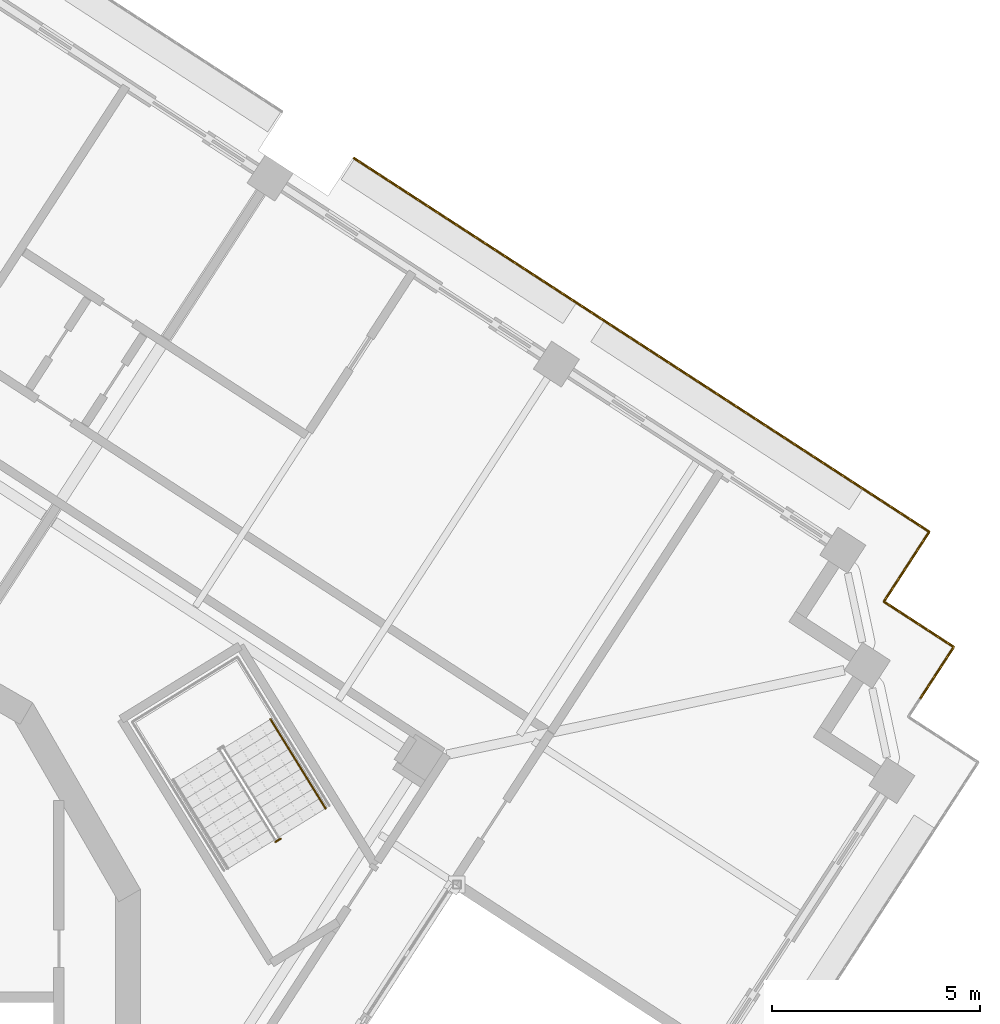
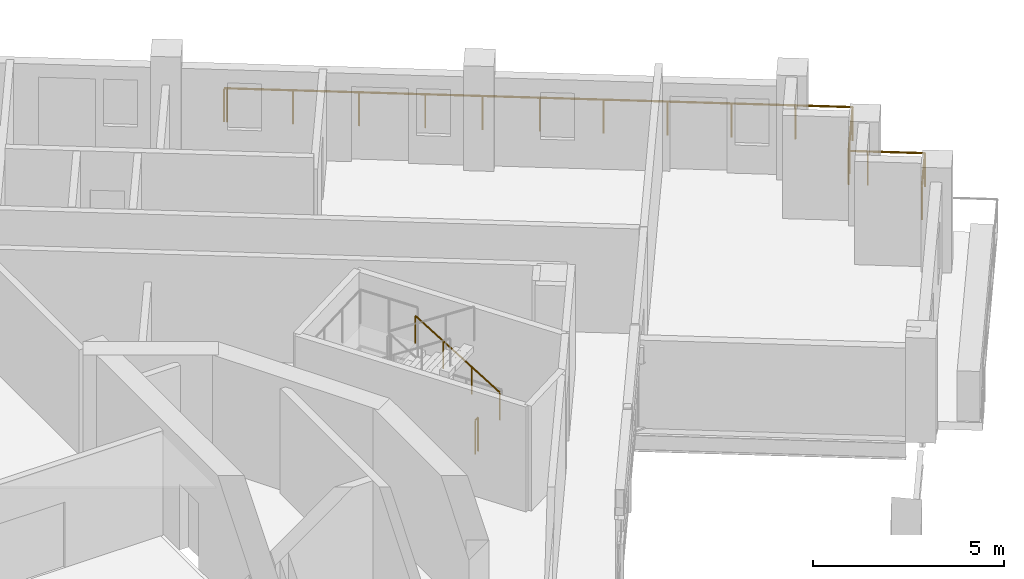
# One storey, part 16 of 17: 3 railings.
"""IFC4 building model written with IfcOpenShell, lengths in metres."""

import ifcopenshell
import ifcopenshell.guid

model = None  # the IFC model being written
_history = None  # IfcOwnerHistory: only IFC2X3 demands one
_inside = {}  # id of a spatial element -> (the spatial element, [elements in it])
_under = {}  # id of a project, library or spatial element -> (it, [spatial elements below it])
_declared = {}  # id of a project -> (the project, [libraries it declares])
_typed = {}  # id of a type object -> (the type object, [elements of that type])
_made_of = {}  # id of a material, layer set ... -> (it, [elements and type objects made of it])


def new_model(schema):
    """Start an empty IFC model of exactly this schema.

    Asked for "IFC4X3", IfcOpenShell would pick the latest addendum, in which some entities
    have other attributes; the version numbers below select the first issue.
    IFC2X3 requires an IfcOwnerHistory on every rooted entity: one is made here for all.
    """
    global model, _history
    if schema == "IFC4X3":
        model = ifcopenshell.file(schema_version=(4, 3, 0, 0))
    else:
        model = ifcopenshell.file(schema=schema)
    _inside.clear()
    _under.clear()
    _declared.clear()
    _typed.clear()
    _made_of.clear()
    _history = None
    if model.schema == "IFC2X3":
        org = make("IfcOrganization", Name="unknown")
        user = make(
            "IfcPersonAndOrganization",
            ThePerson=make("IfcPerson", FamilyName="unknown"),
            TheOrganization=org,
        )
        app = make(
            "IfcApplication",
            ApplicationDeveloper=org,
            Version="unknown",
            ApplicationFullName="unknown",
            ApplicationIdentifier="unknown",
        )
        _history = make(
            "IfcOwnerHistory",
            OwningUser=user,
            OwningApplication=app,
            ChangeAction="ADDED",
            CreationDate=0,
        )
    return model


def make(cls, **values):
    """One entity of the class cls with the attributes given. An attribute that is None is left unset."""
    return model.create_entity(
        cls, **{name: value for name, value in values.items() if value is not None}
    )


def rooted(cls, **values):
    """An entity with a GlobalId (a new one), such as an element, a storey or a relation."""
    return make(cls, GlobalId=ifcopenshell.guid.new(), OwnerHistory=_history, **values)


def si_unit(unit_type, name, prefix=None):
    """IfcSIUnit, for example si_unit("LENGTHUNIT", "METRE", prefix="MILLI")."""
    return make("IfcSIUnit", UnitType=unit_type, Prefix=prefix, Name=name)


def assignment(units):
    """IfcUnitAssignment: the units of a project."""
    return None if units is None else make("IfcUnitAssignment", Units=units)


def point(xyz):
    """IfcCartesianPoint."""
    return None if xyz is None else make("IfcCartesianPoint", Coordinates=xyz)


def direction(xyz):
    """IfcDirection."""
    return None if xyz is None else make("IfcDirection", DirectionRatios=xyz)


def frame(location, z_axis=None, x_axis=None):
    """IfcAxis2Placement3D, a coordinate frame: its origin and axes. An axis left out is left unset."""
    return make(
        "IfcAxis2Placement3D",
        Location=point(location),
        Axis=direction(z_axis),
        RefDirection=direction(x_axis),
    )


def frame_2d(location, x_axis=None):
    """IfcAxis2Placement2D, a coordinate frame in the plane: its origin and x axis."""
    return make(
        "IfcAxis2Placement2D", Location=point(location), RefDirection=direction(x_axis)
    )


def origin():
    """The frame at (0, 0, 0) with its axes left unset."""
    return frame((0.0, 0.0, 0.0))


def origin_2d():
    """The frame at (0, 0) in the plane with its x axis left unset."""
    return frame_2d((0.0, 0.0))


def place(relative_to, where):
    """IfcLocalPlacement: puts the frame where relative to a parent placement (None: the world)."""
    return make(
        "IfcLocalPlacement", PlacementRelTo=relative_to, RelativePlacement=where
    )


def context(
    kind, dimensions, precision=None, world=None, true_north=None, identifier=None
):
    """IfcGeometricRepresentationContext, for example the 3D "Model" context."""
    return make(
        "IfcGeometricRepresentationContext",
        ContextIdentifier=identifier,
        ContextType=kind,
        CoordinateSpaceDimension=dimensions,
        Precision=precision,
        WorldCoordinateSystem=world,
        TrueNorth=true_north,
    )


def subcontext(parent, identifier, kind, view, scale=None):
    """IfcGeometricRepresentationSubContext, for example "Body" below "Model"."""
    return make(
        "IfcGeometricRepresentationSubContext",
        ContextIdentifier=identifier,
        ContextType=kind,
        ParentContext=parent,
        TargetScale=scale,
        TargetView=view,
    )


def project(units=None, contexts=None):
    """IfcProject with its units and contexts."""
    return rooted(
        "IfcProject",
        Name="project",
        RepresentationContexts=contexts,
        UnitsInContext=assignment(units),
    )


def spatial(cls, under=None, at=None, **own):
    """A site, building, storey or space (cls), placed at a placement, below another one or the project."""
    s = rooted(cls, ObjectPlacement=at, **own)
    if under is not None:
        _under.setdefault(under.id(), (under, []))[1].append(s)
    return s


def profile(cls, at=None, kind="AREA", **sizes):
    """A parametric profile (cls). Its sizes go by their IFC names, for example OverallWidth=200.0."""
    return make(cls, ProfileType=kind, Position=at, **sizes)


def circle(**sizes):
    """IfcCircleProfileDef."""
    return profile("IfcCircleProfileDef", **sizes)


def extrude(swept, where, along, depth):
    """IfcExtrudedAreaSolid: the profile swept, set in the frame where, extruded along a direction by depth."""
    return make(
        "IfcExtrudedAreaSolid",
        SweptArea=swept,
        Position=where,
        ExtrudedDirection=direction(along),
        Depth=depth,
    )


def shape(context_of_items, identifier, shape_type, items):
    """IfcShapeRepresentation: the items that make up one representation, for example the "Body"."""
    return make(
        "IfcShapeRepresentation",
        ContextOfItems=context_of_items,
        RepresentationIdentifier=identifier,
        RepresentationType=shape_type,
        Items=items,
    )


def material(Name=None, Category=None):
    """IfcMaterial."""
    return make("IfcMaterial", Name=Name, Category=Category)


def made_of(thing, what):
    """Note that an element or type object is made of a material, layer set ...; save() writes the relation."""
    if what is not None:
        _made_of.setdefault(what.id(), (what, []))[1].append(thing)
    return thing


def type_object(cls, material=None, **own):
    """A type object (cls), such as IfcWallType, which elements share."""
    return made_of(rooted(cls, **own), material)


def element(
    cls,
    number,
    at=None,
    inside=None,
    cuts=None,
    type_object=None,
    material=None,
    context=None,
    identifier="Body",
    shape_type=None,
    held_by="IfcProductDefinitionShape",
    body=None,
    shapes=None,
    **own,
):
    """One element of the class cls, such as IfcWall. Its Tag is "e" and its number.

    at: its placement. inside: the storey or other place that contains it. cuts: it is an
    opening in that element (IfcRelVoidsElement). A single representation is given by context,
    identifier, shape_type and body (its items); several are given by shapes. held_by: the class
    of the entity that holds the representations. save() writes the other relations.
    """
    e = rooted(cls, Tag="e%d" % number, ObjectPlacement=at, **own)
    if body is not None:
        shapes = [shape(context, identifier, shape_type, body)]
    if shapes is not None:
        e.Representation = make(held_by, Representations=shapes)
    if inside is not None:
        _inside.setdefault(inside.id(), (inside, []))[1].append(e)
    if cuts is not None:
        rooted(
            "IfcRelVoidsElement", RelatingBuildingElement=cuts, RelatedOpeningElement=e
        )
    if type_object is not None:
        _typed.setdefault(type_object.id(), (type_object, []))[1].append(e)
    return made_of(e, material)


def aggregate(whole, parts):
    """IfcRelAggregates: a whole, such as a stair, and the parts it consists of."""
    return rooted("IfcRelAggregates", RelatingObject=whole, RelatedObjects=parts)


def save(model, path):
    """Write the relations noted so far, then the file.

    IfcRelAggregates (storeys below a building ...), IfcRelContainedInSpatialStructure (elements
    in a storey), IfcRelDefinesByType, IfcRelAssociatesMaterial and IfcRelDeclares: one each for
    every whole, place, type object, material and project.
    """
    for whole, parts in _under.values():
        aggregate(whole, parts)
    for where, things in _inside.values():
        rooted(
            "IfcRelContainedInSpatialStructure",
            RelatedElements=things,
            RelatingStructure=where,
        )
    for kind, things in _typed.values():
        rooted("IfcRelDefinesByType", RelatedObjects=things, RelatingType=kind)
    for what, things in _made_of.values():
        rooted("IfcRelAssociatesMaterial", RelatedObjects=things, RelatingMaterial=what)
    for by, libraries in _declared.values():
        rooted("IfcRelDeclares", RelatingContext=by, RelatedDefinitions=libraries)
    model.write(path)


model = new_model("IFC4")

# Units and contexts
model_context = context("Model", 3, precision=1e-05, world=origin(), true_north=direction((0.0, 1.0)))
body_context = subcontext(model_context, "Body", "Model", "MODEL_VIEW")
ifc_project = project(units=[si_unit("LENGTHUNIT", "METRE"), si_unit("AREAUNIT", "SQUARE_METRE"), si_unit("VOLUMEUNIT", "CUBIC_METRE"), si_unit("PLANEANGLEUNIT", "RADIAN"), si_unit("MASSUNIT", "GRAM", prefix="KILO")], contexts=[model_context])

# Site, building, storey
site_placement = place(None, origin())
site = spatial("IfcSite", under=ifc_project, at=site_placement, CompositionType="ELEMENT")
building_placement = place(site_placement, origin())
building = spatial("IfcBuilding", under=site, at=building_placement, Name="Cantera Rosa Tower", CompositionType="ELEMENT")
storey_placement = place(building_placement, frame((0.0, 0.0, 268.5)))
storey = spatial("IfcBuildingStorey", under=building, at=storey_placement, Name="L60", CompositionType="ELEMENT", Elevation=268.5)

# Railings
ifc_material_1 = material(Name="Stainless steel and laminated glass", Category="steel")
railing_type_1 = type_object("IfcRailingType", Name="GUARD 1100", PredefinedType="BALUSTRADE", material=ifc_material_1)
railing_1_placement = place(storey_placement, frame((14.7880859375, 20.14599609375, 0.0)))
element("IfcRailing", 1, at=railing_1_placement, inside=storey, type_object=railing_type_1, Name="GUARD L60-8", PredefinedType="BALUSTRADE", context=body_context, shape_type="SweptSolid", body=[
    extrude(circle(Radius=0.030029296875, at=origin_2d()), frame((0.0, 0.0, 1.070068359375), z_axis=(0.838443616301, -0.544988350595, 0.0), x_axis=(0.544988350595, 0.838443616301, 0.0)), (0.0, 0.0, 1.0), 0.06982421875),
    extrude(circle(Radius=0.030029296875, at=origin_2d()), frame((0.05859375, -0.0380859375, 1.070068359375), z_axis=(0.838657010828, -0.544659910576, 0.0), x_axis=(0.544659910576, 0.838657010828, 0.0)), (0.0, 0.0, 1.0), 5.2001953125),
    extrude(circle(Radius=0.030029296875, at=origin_2d()), frame((4.419677734375, -2.870361328125, 1.070068359375), z_axis=(0.8387001057, -0.544593548161, 0.0), x_axis=(0.544593548161, 0.8387001057, 0.0)), (0.0, 0.0, 1.0), 3.0),
    extrude(circle(Radius=0.030029296875, at=origin_2d()), frame((6.935791015625, -4.504150390625, 1.070068359375), z_axis=(0.838666659313, -0.544645053734, 0.0), x_axis=(0.544645053734, 0.838666659313, 0.0)), (0.0, 0.0, 1.0), 6.7001953125),
    extrude(circle(Radius=0.030029296875, at=origin_2d()), frame((12.554931640625, -8.1533203125, 1.070068359375), z_axis=(0.838651824232, -0.544667896716, 0.0), x_axis=(0.544667896716, 0.838651824232, 0.0)), (0.0, 0.0, 1.0), 1.499755859375),
    extrude(circle(Radius=0.030029296875, at=origin_2d()), frame((13.812744140625, -8.97021484375, 1.070068359375), z_axis=(-0.544593548161, -0.8387001057, 0.0), x_axis=(0.8387001057, -0.544593548161, 0.0)), (0.0, 0.0, 1.0), 1.5),
    extrude(circle(Radius=0.030029296875, at=origin_2d()), frame((12.995849609375, -10.228271484375, 1.070068359375), z_axis=(-0.544627753175, -0.83867789435, 0.0), x_axis=(0.83867789435, -0.544627753175, 0.0)), (0.0, 0.0, 1.0), 0.499755859375),
    extrude(circle(Radius=0.030029296875, at=origin_2d()), frame((12.7236328125, -10.6474609375, 1.070068359375), z_axis=(0.838454772945, -0.544971186143, 0.0), x_axis=(0.544971186143, 0.838454772945, 0.0)), (0.0, 0.0, 1.0), 0.5),
    extrude(circle(Radius=0.030029296875, at=origin_2d()), frame((13.142822265625, -10.919921875, 1.070068359375), z_axis=(0.8387001057, -0.544593548161, 0.0), x_axis=(0.544593548161, 0.8387001057, 0.0)), (0.0, 0.0, 1.0), 1.5),
    extrude(circle(Radius=0.030029296875, at=origin_2d()), frame((14.40087890625, -11.73681640625, 1.070068359375), z_axis=(-0.544593548161, -0.8387001057, 0.0), x_axis=(0.8387001057, -0.544593548161, 0.0)), (0.0, 0.0, 1.0), 1.5),
    extrude(circle(Radius=0.02490234375, at=origin_2d()), origin(), (0.0, 0.0, 1.0), 1.0400390625),
    extrude(circle(Radius=0.02490234375, at=origin_2d()), frame((0.05859375, -0.0380859375, 0.0)), (0.0, 0.0, 1.0), 1.0400390625),
    extrude(circle(Radius=0.02490234375, at=origin_2d()), frame((1.51220703125, -0.982177734375, 0.0)), (0.0, 0.0, 1.0), 1.0400390625),
    extrude(circle(Radius=0.02490234375, at=origin_2d()), frame((2.966064453125, -1.92626953125, 0.0)), (0.0, 0.0, 1.0), 1.0400390625),
    extrude(circle(Radius=0.02490234375, at=origin_2d()), frame((4.419677734375, -2.870361328125, 0.0)), (0.0, 0.0, 1.0), 1.0400390625),
    extrude(circle(Radius=0.02490234375, at=origin_2d()), frame((5.677734375, -3.687255859375, 0.0)), (0.0, 0.0, 1.0), 1.0400390625),
    extrude(circle(Radius=0.02490234375, at=origin_2d()), frame((6.935791015625, -4.504150390625, 0.0)), (0.0, 0.0, 1.0), 1.0400390625),
    extrude(circle(Radius=0.02490234375, at=origin_2d()), frame((8.340576171875, -5.41650390625, 0.0)), (0.0, 0.0, 1.0), 1.0400390625),
    extrude(circle(Radius=0.02490234375, at=origin_2d()), frame((9.745361328125, -6.32861328125, 0.0)), (0.0, 0.0, 1.0), 1.0400390625),
    extrude(circle(Radius=0.02490234375, at=origin_2d()), frame((11.150146484375, -7.240966796875, 0.0)), (0.0, 0.0, 1.0), 1.0400390625),
    extrude(circle(Radius=0.02490234375, at=origin_2d()), frame((12.554931640625, -8.1533203125, 0.0)), (0.0, 0.0, 1.0), 1.0400390625),
    extrude(circle(Radius=0.02490234375, at=origin_2d()), frame((13.812744140625, -8.97021484375, 0.0)), (0.0, 0.0, 1.0), 1.0400390625),
    extrude(circle(Radius=0.02490234375, at=origin_2d()), frame((12.995849609375, -10.228271484375, 0.0)), (0.0, 0.0, 1.0), 1.0400390625),
    extrude(circle(Radius=0.02490234375, at=origin_2d()), frame((12.7236328125, -10.6474609375, 0.0)), (0.0, 0.0, 1.0), 1.0400390625),
    extrude(circle(Radius=0.02490234375, at=origin_2d()), frame((13.142822265625, -10.919921875, 0.0)), (0.0, 0.0, 1.0), 1.0400390625),
    extrude(circle(Radius=0.02490234375, at=origin_2d()), frame((14.40087890625, -11.73681640625, 0.0)), (0.0, 0.0, 1.0), 1.0400390625),
    extrude(circle(Radius=0.02490234375, at=origin_2d()), frame((13.583984375, -12.994873046875, 0.0)), (0.0, 0.0, 1.0), 1.0400390625),
])
ifc_material_2 = material(Name="Steel S355J2 (EN 10025-2)", Category="steel")
railing_type_2 = type_object("IfcRailingType", Name="STAIR GUARD 1100", PredefinedType="GUARDRAIL", material=ifc_material_2)
railing_2_placement = place(storey_placement, frame((13.025146484375, 3.80517578125, 0.0)))
element("IfcRailing", 2, at=railing_2_placement, inside=storey, type_object=railing_type_2, Name="L60 ST-51 stair guard 3", PredefinedType="GUARDRAIL", context=body_context, shape_type="SweptSolid", body=[
    extrude(circle(Radius=0.02392578125, at=origin_2d()), frame((0.0, 0.0, 1.076171875), z_axis=(-0.851546489876, -0.524279100842, 0.0), x_axis=(0.524279100842, -0.851546489876, 0.0)), (0.0, 0.0, 1.0), 0.14990234375),
    extrude(circle(Radius=0.02099609375, at=origin_2d()), origin(), (0.0, 0.0, 1.0), 1.052001953125),
    extrude(circle(Radius=0.02099609375, at=origin_2d()), frame((-0.127685546875, -0.07861328125, 0.0)), (0.0, 0.0, 1.0), 1.052001953125),
])
ifc_material_3 = material(Name="Steel S355J2 (EN 10025-2)", Category="steel")
railing_type_3 = type_object("IfcRailingType", Name="STAIR HANDRAIL 900", PredefinedType="HANDRAIL", material=ifc_material_3)
railing_3_placement = place(storey_placement, frame((14.105224609375, 4.5302734375, 0.179931640625)))
element("IfcRailing", 3, at=railing_3_placement, inside=storey, type_object=railing_type_3, Name="L60 ST-51 stair handrail 1", PredefinedType="HANDRAIL", context=body_context, shape_type="SweptSolid", body=[
    extrude(circle(Radius=0.02392578125, at=origin_2d()), frame((0.0, 0.0, 0.8759765625), z_axis=(-0.441609067481, 0.715913574058, 0.540785711718), x_axis=(-0.851102330005, -0.524999832248, 0.0)), (0.0, 0.0, 1.0), 2.995849609375),
    extrude(circle(Radius=0.02099609375, at=origin_2d()), origin(), (0.0, 0.0, 1.0), 0.851806640625),
    extrude(circle(Radius=0.02099609375, at=origin_2d()), frame((-0.44091796875, 0.71484375, 0.5400390625)), (0.0, 0.0, 1.0), 0.851806640625),
    extrude(circle(Radius=0.02099609375, at=origin_2d()), frame((-0.882080078125, 1.429931640625, 1.080078125)), (0.0, 0.0, 1.0), 0.851806640625),
    extrude(circle(Radius=0.02099609375, at=origin_2d()), frame((-1.322998046875, 2.144775390625, 1.6201171875)), (0.0, 0.0, 1.0), 0.851806640625),
])

save(model, "model.ifc")
